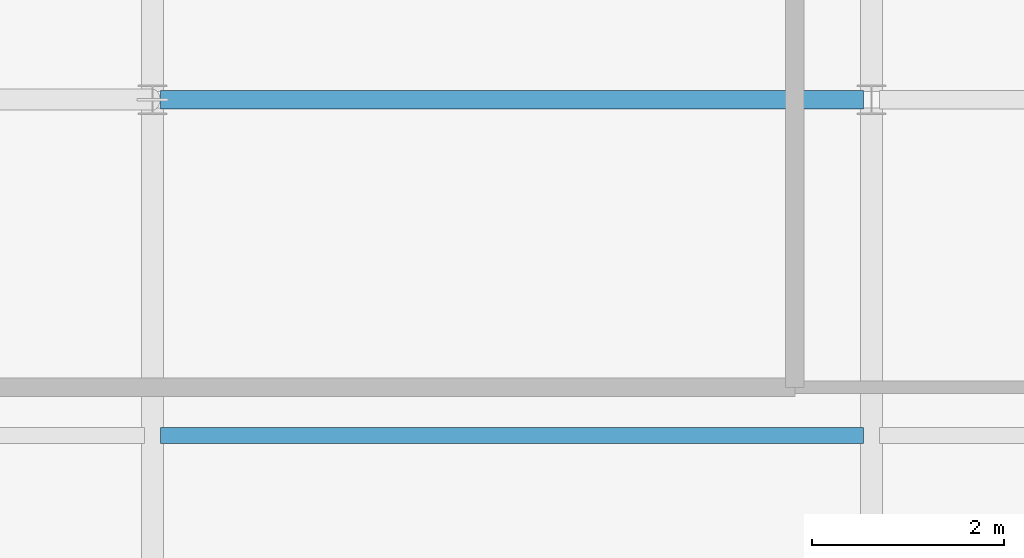
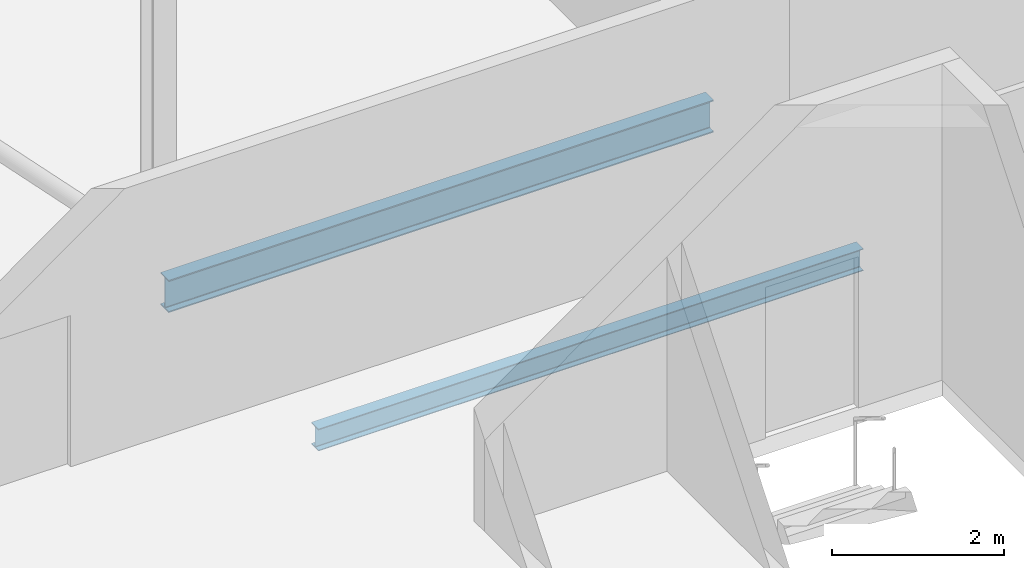
# One storey, part 35 of 324: 2 beams.
"""IFC4 building model written with IfcOpenShell, lengths in metres."""

from ifc_helpers import new_model, si_unit, direction, frame, origin, origin_2d, place, context, subcontext, project, spatial, i_section, extrude, material, material_profile, profile_set, type_object, element, save


model = new_model("IFC4")

# Units and contexts
model_context = context("Model", 3, precision=1e-05, world=origin(), true_north=direction((0.0, 1.0)))
body_context = subcontext(model_context, "Body", "Model", "MODEL_VIEW")
ifc_project = project(units=[si_unit("LENGTHUNIT", "METRE"), si_unit("AREAUNIT", "SQUARE_METRE"), si_unit("VOLUMEUNIT", "CUBIC_METRE"), si_unit("PLANEANGLEUNIT", "RADIAN"), si_unit("MASSUNIT", "GRAM", prefix="KILO")], contexts=[model_context])

# Site, building, storey
site_placement = place(None, origin())
site = spatial("IfcSite", under=ifc_project, at=site_placement, CompositionType="ELEMENT")
building_placement = place(site_placement, origin())
building = spatial("IfcBuilding", under=site, at=building_placement, Name="Solvenia Promenade Tram Depot", CompositionType="ELEMENT")
storey_placement = place(building_placement, frame((0.0, 0.0, 4.5)))
storey = spatial("IfcBuildingStorey", under=building, at=storey_placement, Name="L01", CompositionType="ELEMENT", Elevation=4.5)

# Beams
ifc_material = material(Name="Structural steel ASTM A992 Gr. 50", Category="steel")
ifc_material_profile_1 = material_profile(ifc_material, i_section(OverallWidth=0.19091796875, OverallDepth=0.4599609375, WebThickness=0.010009765625, FlangeThickness=0.01611328125, FilletRadius=0.012939453125, at=origin_2d()), Name="W460x82", Category="steel")
ifc_profile_set_1 = profile_set([ifc_material_profile_1], Name="Structural steel ASTM A992 Gr. 50")
beam_type_1 = type_object("IfcBeamType", Name="Beam-W460x82", PredefinedType="BEAM", material=ifc_profile_set_1)
beam_1_placement = place(storey_placement, frame((7.5849609375, 38.0, -0.469970703125), z_axis=(1.0, 0.0, 0.0), x_axis=(0.0, 1.0, 0.0)))
element("IfcBeam", 1, at=beam_1_placement, inside=storey, type_object=beam_type_1, Name="Primary Girder BM-L01-0218", PredefinedType="BEAM", context=body_context, shape_type="SweptSolid", body=[
    extrude(i_section(OverallWidth=0.19091796875, OverallDepth=0.4599609375, WebThickness=0.010009765625, FlangeThickness=0.01611328125, FilletRadius=0.012939453125, at=origin_2d()), origin(), (0.0, 0.0, 1.0), 7.330078125),
])
ifc_material_profile_2 = material_profile(ifc_material, i_section(OverallWidth=0.166015625, OverallDepth=0.31298828125, WebThickness=0.006591796875, FlangeThickness=0.01123046875, FilletRadius=0.010009765625, at=origin_2d()), Name="W310x45", Category="steel")
ifc_profile_set_2 = profile_set([ifc_material_profile_2], Name="Structural steel ASTM A992 Gr. 50")
beam_type_2 = type_object("IfcBeamType", Name="Joist-W310x45", PredefinedType="JOIST", material=ifc_profile_set_2)
beam_2_placement = place(storey_placement, frame((7.5849609375, 34.5, -0.396484375), z_axis=(1.0, 0.0, 0.0), x_axis=(0.0, 1.0, 0.0)))
element("IfcBeam", 2, at=beam_2_placement, inside=storey, type_object=beam_type_2, Name="Secondary Floor Joist BM-L01-0259", PredefinedType="JOIST", context=body_context, shape_type="SweptSolid", body=[
    extrude(i_section(OverallWidth=0.166015625, OverallDepth=0.31298828125, WebThickness=0.006591796875, FlangeThickness=0.01123046875, FilletRadius=0.010009765625, at=origin_2d()), origin(), (0.0, 0.0, 1.0), 7.330078125),
])

save(model, "model.ifc")
